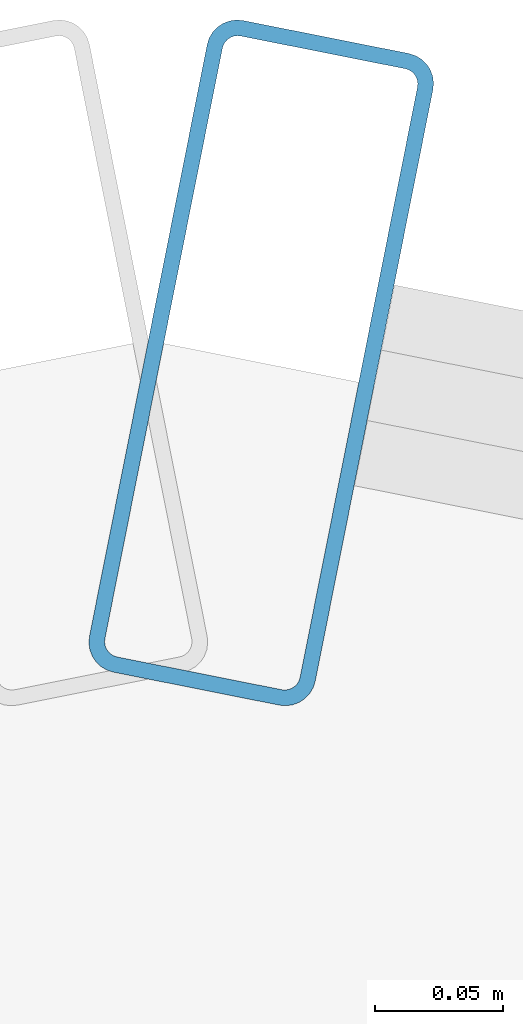
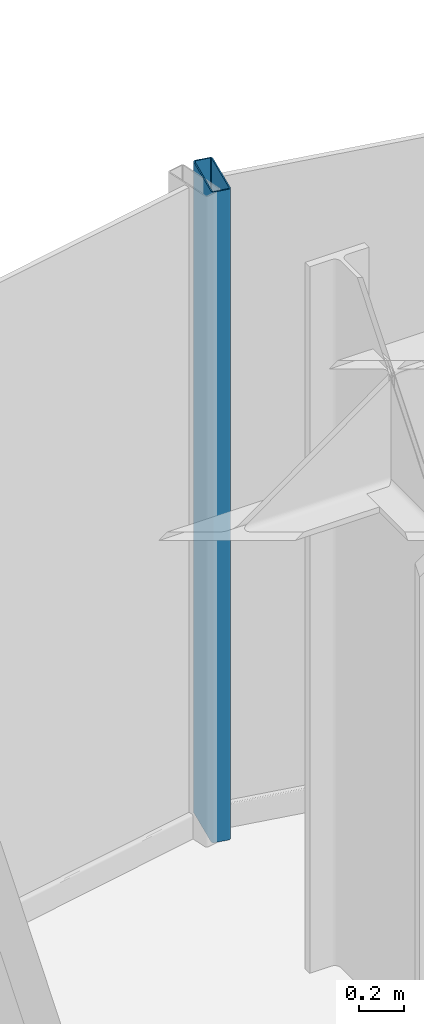
# One storey, part 15 of 26: 1 member, 1 element without a shape of its own.
"""IFC4 building model written with IfcOpenShell, lengths in metres."""

from ifc_helpers import new_model, si_unit, direction, frame, origin, origin_2d, place, context, subcontext, project, spatial, hollow_rectangle, extrude, source, transform, mapped, material, layer, layer_set, material_profile, profile_set, type_object, element, aggregate, save


model = new_model("IFC4")

# Units and contexts
model_context = context("Model", 3, precision=1e-05, world=origin(), true_north=direction((0.0, 1.0)))
body_context = subcontext(model_context, "Body", "Model", "MODEL_VIEW")
ifc_project = project(units=[si_unit("LENGTHUNIT", "METRE"), si_unit("AREAUNIT", "SQUARE_METRE"), si_unit("VOLUMEUNIT", "CUBIC_METRE"), si_unit("PLANEANGLEUNIT", "RADIAN"), si_unit("MASSUNIT", "GRAM", prefix="KILO")], contexts=[model_context])

# Site, building, storey
site_placement = place(None, origin())
site = spatial("IfcSite", under=ifc_project, at=site_placement, CompositionType="ELEMENT")
building_placement = place(site_placement, origin())
building = spatial("IfcBuilding", under=site, at=building_placement, Name="Nefas-Gora Pilgrimage Tower", CompositionType="ELEMENT")
storey_placement = place(building_placement, frame((0.0, 0.0, 140.199951171875)))
storey = spatial("IfcBuildingStorey", under=building, at=storey_placement, Name="L34", CompositionType="ELEMENT", Elevation=140.199951171875)

# Curtain wall, member
ifc_material_1 = material(Name="Dark ceramic-fritted solar-control aluminium-glass curtain wall", Category="aluminium")
ifc_layer = layer(ifc_material_1, 0.219970703125)
ifc_layer_set = layer_set([ifc_layer], Name="Dark ceramic-fritted solar-control aluminium-glass curtain wall")
curtain_wall_type = type_object("IfcCurtainWallType", Name="CW-SYS-5", PredefinedType="NOTDEFINED", material=ifc_layer_set)
curtain_wall_placement = place(storey_placement, origin())
curtain_wall = element("IfcCurtainWall", 1, at=curtain_wall_placement, inside=storey, type_object=curtain_wall_type, Name="L34 Unitised Curtain Wall CW5", PredefinedType="NOTDEFINED")
ifc_material_2 = material(Name="Anodised architectural aluminium", Category="aluminium")
ifc_material_profile = material_profile(ifc_material_2, hollow_rectangle(XDim=0.090087890625, YDim=0.260009765625, WallThickness=0.006103515625, InnerFilletRadius=0.006103515625, OuterFilletRadius=0.011962890625, at=origin_2d()), Name="ALU MULLION 90x260")
ifc_profile_set = profile_set([ifc_material_profile], Name="Anodised architectural aluminium")
member_type = type_object("IfcMemberType", Name="CWM-MUL-5", PredefinedType="MULLION", material=ifc_profile_set)
shared_shape = source(origin(), body_context, "Body", "SweptSolid", [
    extrude(hollow_rectangle(XDim=0.090087890625, YDim=0.260009765625, WallThickness=0.006103515625, InnerFilletRadius=0.006103515625, OuterFilletRadius=0.011962890625, at=origin_2d()), origin(), (0.0, 0.0, 1.0), 3.5),
])
member_placement = place(storey_placement, frame((-2.205810546875, 24.16357421875, 0.0), z_axis=(0.0, 0.0, 1.0), x_axis=(-0.980782896852, 0.195102304554, 0.0)))
member = element("IfcMember", 2, at=member_placement, type_object=member_type, Name="CW5 Mullion 2", PredefinedType="MULLION", context=body_context, shape_type="MappedRepresentation", body=[
    mapped(shared_shape, transform((0.0, 0.0, 0.0), x_axis=(1.0, 0.0, 0.0), y_axis=(0.0, 1.0, 0.0), z_axis=(0.0, 0.0, 1.0), scale=1.0)),
])
aggregate(curtain_wall, [member])

save(model, "model.ifc")
